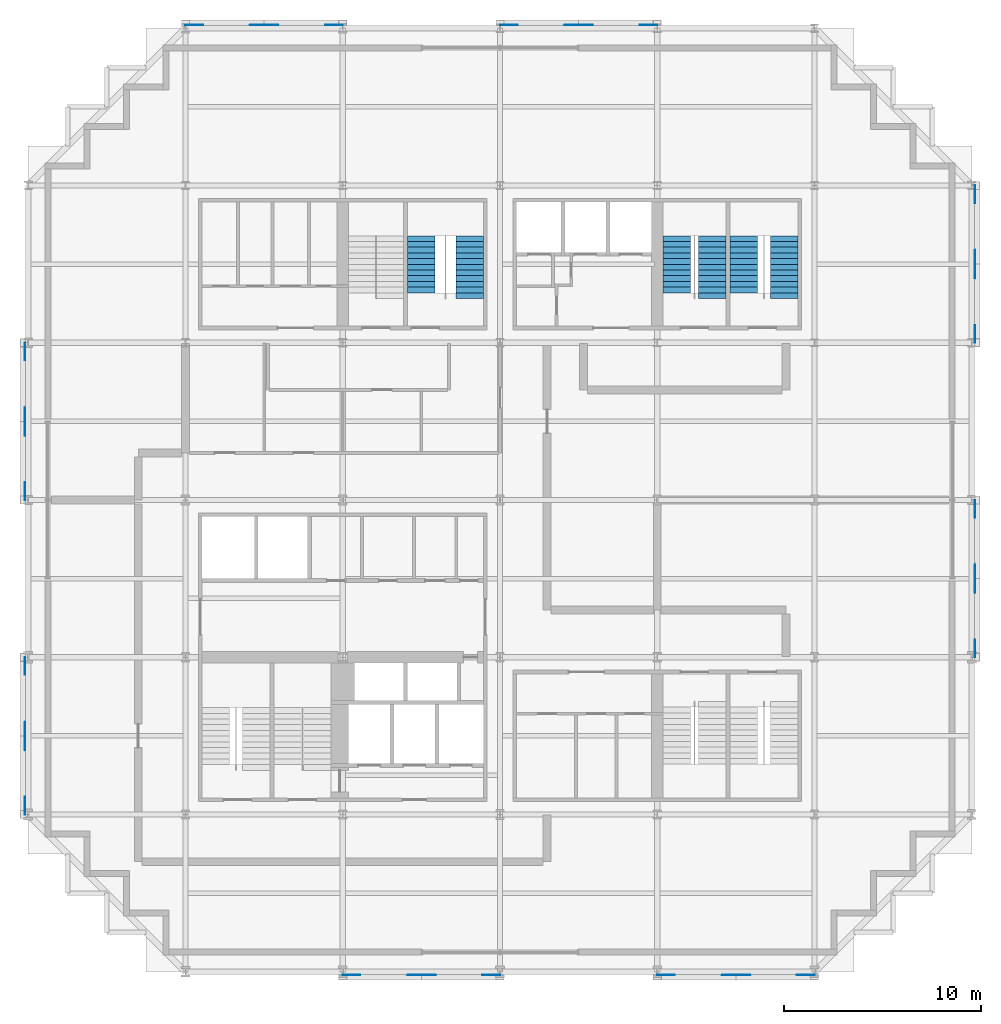
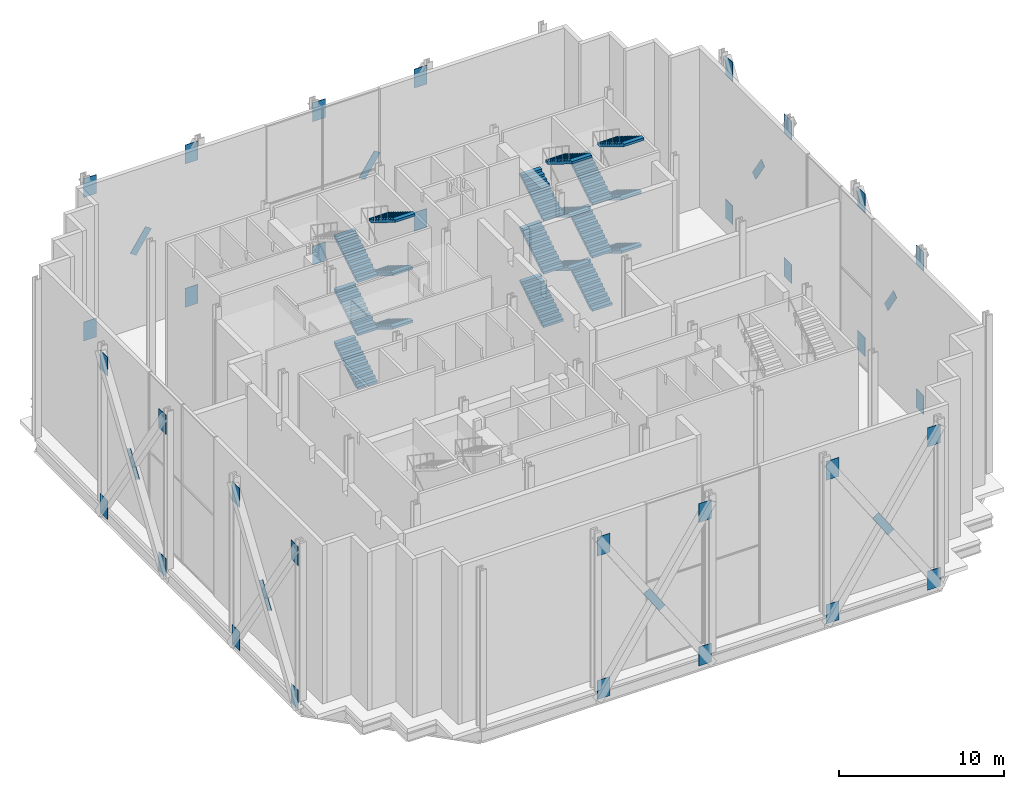
# One storey, part 12 of 14: 40 discrete accessories, 18 stair flights, 3 elements without a shape of their own.
"""IFC4 building model written with IfcOpenShell, lengths in metres."""

from ifc_helpers import new_model, si_unit, direction, frame, origin, origin_2d, place, context, subcontext, project, spatial, polyline, rectangle, outline, extrude, material, material_profile, profile_set, type_object, element, aggregate, save


model = new_model("IFC4")

# Units and contexts
model_context = context("Model", 3, precision=1e-05, world=origin(), true_north=direction((0.0, 1.0)))
body_context = subcontext(model_context, "Body", "Model", "MODEL_VIEW")
ifc_project = project(units=[si_unit("LENGTHUNIT", "METRE"), si_unit("AREAUNIT", "SQUARE_METRE"), si_unit("VOLUMEUNIT", "CUBIC_METRE"), si_unit("PLANEANGLEUNIT", "RADIAN"), si_unit("MASSUNIT", "GRAM", prefix="KILO")], contexts=[model_context])

# Site, building, storey
site_placement = place(None, origin())
site = spatial("IfcSite", under=ifc_project, at=site_placement, CompositionType="ELEMENT")
building_placement = place(site_placement, origin())
building = spatial("IfcBuilding", under=site, at=building_placement, Name="Immortelle Media Tower", CompositionType="ELEMENT")
storey_placement = place(building_placement, frame((0.0, 0.0, 9.0)))
storey = spatial("IfcBuildingStorey", under=building, at=storey_placement, Name="L01", CompositionType="ELEMENT", Elevation=9.0)

# Stair, stair flights
ifc_material_1 = material(Name="Steel ASTM A992 Gr 50", Category="steel")
stair_type = type_object("IfcStairType", Name="Stair with flights", PredefinedType="DOUBLE_RETURN_STAIR", material=ifc_material_1)
stair_1_placement = place(storey_placement, origin())
stair_1 = element("IfcStair", 1, at=stair_1_placement, inside=storey, type_object=stair_type, Name="Exit stair NW2", PredefinedType="DOUBLE_RETURN_STAIR")
stair_flight_type = type_object("IfcStairFlightType", Name="Stair flight 1400", PredefinedType="STRAIGHT", material=ifc_material_1)
stair_flight_1_placement = place(storey_placement, frame((20.0, 34.5400390625, 0.0), z_axis=(0.0, 0.0, 1.0), x_axis=(0.0, 1.0, 0.0)))
stair_flight_1 = element("IfcStairFlight", 2, at=stair_flight_1_placement, type_object=stair_flight_type, Name="ST NW2 flight 1", NumberOfRisers=11, NumberOfTreads=10, PredefinedType="STRAIGHT", RiserHeight=0.179104478, TreadLength=0.29, context=body_context, shape_type="SweptSolid", body=[
    extrude(outline(polyline([(0.0, 0.0), (0.0, 0.17919921875), (0.2900390625, 0.17919921875), (0.2900390625, 0.358154296875), (0.580078125, 0.358154296875), (0.580078125, 0.537353515625), (0.8701171875, 0.537353515625), (0.8701171875, 0.71630859375), (1.159912109375, 0.71630859375), (1.159912109375, 0.8955078125), (1.449951171875, 0.8955078125), (1.449951171875, 1.07470703125), (1.739990234375, 1.07470703125), (1.739990234375, 1.253662109375), (2.030029296875, 1.253662109375), (2.030029296875, 1.432861328125), (2.320068359375, 1.432861328125), (2.320068359375, 1.612060546875), (2.610107421875, 1.612060546875), (2.610107421875, 1.791015625), (2.89990234375, 1.791015625), (2.89990234375, 1.97021484375), (2.89990234375, 1.61474609375), (0.28515625, 0.0), (0.0, 0.0)])), frame((0.0, 0.699951171875, 0.0), z_axis=(0.0, -1.0, 0.0), x_axis=(1.0, 0.0, 0.0)), (0.0, 0.0, 1.0), 1.39990234375),
])
stair_flight_2_placement = place(storey_placement, frame((22.449951171875, 37.43994140625, 1.97021484375), z_axis=(0.0, 0.0, 1.0), x_axis=(0.0, -1.0, 0.0)))
stair_flight_2 = element("IfcStairFlight", 3, at=stair_flight_2_placement, type_object=stair_flight_type, Name="ST NW2 flight 2", NumberOfRisers=11, NumberOfTreads=10, PredefinedType="STRAIGHT", RiserHeight=0.179104478, TreadLength=0.29, context=body_context, shape_type="SweptSolid", body=[
    extrude(outline(polyline([(0.0, 0.0), (0.0, 0.17919921875), (0.2900390625, 0.17919921875), (0.2900390625, 0.358154296875), (0.580078125, 0.358154296875), (0.580078125, 0.537353515625), (0.8701171875, 0.537353515625), (0.8701171875, 0.71630859375), (1.159912109375, 0.71630859375), (1.159912109375, 0.8955078125), (1.449951171875, 0.8955078125), (1.449951171875, 1.07470703125), (1.739990234375, 1.07470703125), (1.739990234375, 1.253662109375), (2.030029296875, 1.253662109375), (2.030029296875, 1.432861328125), (2.320068359375, 1.432861328125), (2.320068359375, 1.612060546875), (2.610107421875, 1.612060546875), (2.610107421875, 1.791015625), (2.89990234375, 1.791015625), (2.89990234375, 1.97021484375), (2.89990234375, 1.61474609375), (0.28515625, 0.0), (0.0, 0.0)])), frame((0.0, 0.699951171875, 0.0), z_axis=(0.0, -1.0, 0.0), x_axis=(1.0, 0.0, 0.0)), (0.0, 0.0, 1.0), 1.39990234375),
])
stair_flight_3_placement = place(storey_placement, frame((20.0, 34.5400390625, 3.940185546875), z_axis=(0.0, 0.0, 1.0), x_axis=(0.0, 1.0, 0.0)))
stair_flight_3 = element("IfcStairFlight", 4, at=stair_flight_3_placement, type_object=stair_flight_type, Name="ST NW2 flight 3", NumberOfRisers=11, NumberOfTreads=10, PredefinedType="STRAIGHT", RiserHeight=0.179104478, TreadLength=0.29, context=body_context, shape_type="SweptSolid", body=[
    extrude(outline(polyline([(0.0, 0.0), (0.0, 0.17919921875), (0.2900390625, 0.17919921875), (0.2900390625, 0.358154296875), (0.580078125, 0.358154296875), (0.580078125, 0.537353515625), (0.8701171875, 0.537353515625), (0.8701171875, 0.71630859375), (1.159912109375, 0.71630859375), (1.159912109375, 0.8955078125), (1.449951171875, 0.8955078125), (1.449951171875, 1.07470703125), (1.739990234375, 1.07470703125), (1.739990234375, 1.253662109375), (2.030029296875, 1.253662109375), (2.030029296875, 1.432861328125), (2.320068359375, 1.432861328125), (2.320068359375, 1.612060546875), (2.610107421875, 1.612060546875), (2.610107421875, 1.791015625), (2.89990234375, 1.791015625), (2.89990234375, 1.97021484375), (2.89990234375, 1.61474609375), (0.28515625, 0.0), (0.0, 0.0)])), frame((0.0, 0.699951171875, 0.0), z_axis=(0.0, -1.0, 0.0), x_axis=(1.0, 0.0, 0.0)), (0.0, 0.0, 1.0), 1.39990234375),
])
stair_flight_4_placement = place(storey_placement, frame((22.449951171875, 37.43994140625, 5.910400390625), z_axis=(0.0, 0.0, 1.0), x_axis=(0.0, -1.0, 0.0)))
stair_flight_4 = element("IfcStairFlight", 5, at=stair_flight_4_placement, type_object=stair_flight_type, Name="ST NW2 flight 4", NumberOfRisers=11, NumberOfTreads=10, PredefinedType="STRAIGHT", RiserHeight=0.179104478, TreadLength=0.29, context=body_context, shape_type="SweptSolid", body=[
    extrude(outline(polyline([(0.0, 0.0), (0.0, 0.17919921875), (0.2900390625, 0.17919921875), (0.2900390625, 0.358154296875), (0.580078125, 0.358154296875), (0.580078125, 0.537353515625), (0.8701171875, 0.537353515625), (0.8701171875, 0.71630859375), (1.159912109375, 0.71630859375), (1.159912109375, 0.8955078125), (1.449951171875, 0.8955078125), (1.449951171875, 1.07470703125), (1.739990234375, 1.07470703125), (1.739990234375, 1.253662109375), (2.030029296875, 1.253662109375), (2.030029296875, 1.432861328125), (2.320068359375, 1.432861328125), (2.320068359375, 1.612060546875), (2.610107421875, 1.612060546875), (2.610107421875, 1.791015625), (2.89990234375, 1.791015625), (2.89990234375, 1.97021484375), (2.89990234375, 1.61474609375), (0.28515625, 0.0), (0.0, 0.0)])), frame((0.0, 0.699951171875, 0.0), z_axis=(0.0, -1.0, 0.0), x_axis=(1.0, 0.0, 0.0)), (0.0, 0.0, 1.0), 1.39990234375),
])
stair_flight_5_placement = place(storey_placement, frame((20.0, 34.5400390625, 7.880615234375), z_axis=(0.0, 0.0, 1.0), x_axis=(0.0, 1.0, 0.0)))
stair_flight_5 = element("IfcStairFlight", 6, at=stair_flight_5_placement, type_object=stair_flight_type, Name="ST NW2 flight 5", NumberOfRisers=11, NumberOfTreads=10, PredefinedType="STRAIGHT", RiserHeight=0.179104478, TreadLength=0.29, context=body_context, shape_type="SweptSolid", body=[
    extrude(outline(polyline([(0.0, 0.0), (0.0, 0.17919921875), (0.2900390625, 0.17919921875), (0.2900390625, 0.358154296875), (0.580078125, 0.358154296875), (0.580078125, 0.537353515625), (0.8701171875, 0.537353515625), (0.8701171875, 0.71630859375), (1.159912109375, 0.71630859375), (1.159912109375, 0.8955078125), (1.449951171875, 0.8955078125), (1.449951171875, 1.07470703125), (1.739990234375, 1.07470703125), (1.739990234375, 1.253662109375), (2.030029296875, 1.253662109375), (2.030029296875, 1.432861328125), (2.320068359375, 1.432861328125), (2.320068359375, 1.612060546875), (2.610107421875, 1.612060546875), (2.610107421875, 1.791015625), (2.89990234375, 1.791015625), (2.89990234375, 1.97021484375), (2.89990234375, 1.61474609375), (0.28515625, 0.0), (0.0, 0.0)])), frame((0.0, 0.699951171875, 0.0), z_axis=(0.0, -1.0, 0.0), x_axis=(1.0, 0.0, 0.0)), (0.0, 0.0, 1.0), 1.39990234375),
])
stair_flight_6_placement = place(storey_placement, frame((22.449951171875, 37.43994140625, 9.850830078125), z_axis=(0.0, 0.0, 1.0), x_axis=(0.0, -1.0, 0.0)))
stair_flight_6 = element("IfcStairFlight", 7, at=stair_flight_6_placement, type_object=stair_flight_type, Name="ST NW2 flight 6", NumberOfRisers=12, NumberOfTreads=11, PredefinedType="STRAIGHT", RiserHeight=0.179104478, TreadLength=0.29, context=body_context, shape_type="SweptSolid", body=[
    extrude(outline(polyline([(0.0, 0.0), (0.0, 0.17919921875), (0.2900390625, 0.17919921875), (0.2900390625, 0.358154296875), (0.580078125, 0.358154296875), (0.580078125, 0.537353515625), (0.8701171875, 0.537353515625), (0.8701171875, 0.71630859375), (1.159912109375, 0.71630859375), (1.159912109375, 0.8955078125), (1.449951171875, 0.8955078125), (1.449951171875, 1.07470703125), (1.739990234375, 1.07470703125), (1.739990234375, 1.253662109375), (2.030029296875, 1.253662109375), (2.030029296875, 1.432861328125), (2.320068359375, 1.432861328125), (2.320068359375, 1.612060546875), (2.610107421875, 1.612060546875), (2.610107421875, 1.791015625), (2.89990234375, 1.791015625), (2.89990234375, 1.97021484375), (3.18994140625, 1.97021484375), (3.18994140625, 2.149169921875), (3.18994140625, 1.7939453125), (0.28515625, 0.0), (0.0, 0.0)])), frame((0.0, 0.699951171875, 0.0), z_axis=(0.0, -1.0, 0.0), x_axis=(1.0, 0.0, 0.0)), (0.0, 0.0, 1.0), 1.39990234375),
])
aggregate(stair_1, [stair_flight_1, stair_flight_2, stair_flight_3, stair_flight_4, stair_flight_5, stair_flight_6])

stair_2_placement = place(storey_placement, origin())
stair_2 = element("IfcStair", 8, at=stair_2_placement, inside=storey, type_object=stair_type, Name="Exit stair NE1", PredefinedType="DOUBLE_RETURN_STAIR")
stair_flight_7_placement = place(storey_placement, frame((33.0, 34.5400390625, 0.0), z_axis=(0.0, 0.0, 1.0), x_axis=(0.0, 1.0, 0.0)))
stair_flight_7 = element("IfcStairFlight", 9, at=stair_flight_7_placement, type_object=stair_flight_type, Name="ST NE1 flight 1", NumberOfRisers=11, NumberOfTreads=10, PredefinedType="STRAIGHT", RiserHeight=0.179104478, TreadLength=0.29, context=body_context, shape_type="SweptSolid", body=[
    extrude(outline(polyline([(0.0, 0.0), (0.0, 0.17919921875), (0.2900390625, 0.17919921875), (0.2900390625, 0.358154296875), (0.580078125, 0.358154296875), (0.580078125, 0.537353515625), (0.8701171875, 0.537353515625), (0.8701171875, 0.71630859375), (1.159912109375, 0.71630859375), (1.159912109375, 0.8955078125), (1.449951171875, 0.8955078125), (1.449951171875, 1.07470703125), (1.739990234375, 1.07470703125), (1.739990234375, 1.253662109375), (2.030029296875, 1.253662109375), (2.030029296875, 1.432861328125), (2.320068359375, 1.432861328125), (2.320068359375, 1.612060546875), (2.610107421875, 1.612060546875), (2.610107421875, 1.791015625), (2.89990234375, 1.791015625), (2.89990234375, 1.97021484375), (2.89990234375, 1.61474609375), (0.28515625, 0.0), (0.0, 0.0)])), frame((0.0, 0.699951171875, 0.0), z_axis=(0.0, -1.0, 0.0), x_axis=(1.0, 0.0, 0.0)), (0.0, 0.0, 1.0), 1.39990234375),
])
stair_flight_8_placement = place(storey_placement, frame((34.800048828125, 37.43994140625, 1.97021484375), z_axis=(0.0, 0.0, 1.0), x_axis=(0.0, -1.0, 0.0)))
stair_flight_8 = element("IfcStairFlight", 10, at=stair_flight_8_placement, type_object=stair_flight_type, Name="ST NE1 flight 2", NumberOfRisers=11, NumberOfTreads=10, PredefinedType="STRAIGHT", RiserHeight=0.179104478, TreadLength=0.29, context=body_context, shape_type="SweptSolid", body=[
    extrude(outline(polyline([(0.0, 0.0), (0.0, 0.17919921875), (0.2900390625, 0.17919921875), (0.2900390625, 0.358154296875), (0.580078125, 0.358154296875), (0.580078125, 0.537353515625), (0.8701171875, 0.537353515625), (0.8701171875, 0.71630859375), (1.159912109375, 0.71630859375), (1.159912109375, 0.8955078125), (1.449951171875, 0.8955078125), (1.449951171875, 1.07470703125), (1.739990234375, 1.07470703125), (1.739990234375, 1.253662109375), (2.030029296875, 1.253662109375), (2.030029296875, 1.432861328125), (2.320068359375, 1.432861328125), (2.320068359375, 1.612060546875), (2.610107421875, 1.612060546875), (2.610107421875, 1.791015625), (2.89990234375, 1.791015625), (2.89990234375, 1.97021484375), (2.89990234375, 1.61474609375), (0.28515625, 0.0), (0.0, 0.0)])), frame((0.0, 0.699951171875, 0.0), z_axis=(0.0, -1.0, 0.0), x_axis=(1.0, 0.0, 0.0)), (0.0, 0.0, 1.0), 1.39990234375),
])
stair_flight_9_placement = place(storey_placement, frame((33.0, 34.5400390625, 3.940185546875), z_axis=(0.0, 0.0, 1.0), x_axis=(0.0, 1.0, 0.0)))
stair_flight_9 = element("IfcStairFlight", 11, at=stair_flight_9_placement, type_object=stair_flight_type, Name="ST NE1 flight 3", NumberOfRisers=11, NumberOfTreads=10, PredefinedType="STRAIGHT", RiserHeight=0.179104478, TreadLength=0.29, context=body_context, shape_type="SweptSolid", body=[
    extrude(outline(polyline([(0.0, 0.0), (0.0, 0.17919921875), (0.2900390625, 0.17919921875), (0.2900390625, 0.358154296875), (0.580078125, 0.358154296875), (0.580078125, 0.537353515625), (0.8701171875, 0.537353515625), (0.8701171875, 0.71630859375), (1.159912109375, 0.71630859375), (1.159912109375, 0.8955078125), (1.449951171875, 0.8955078125), (1.449951171875, 1.07470703125), (1.739990234375, 1.07470703125), (1.739990234375, 1.253662109375), (2.030029296875, 1.253662109375), (2.030029296875, 1.432861328125), (2.320068359375, 1.432861328125), (2.320068359375, 1.612060546875), (2.610107421875, 1.612060546875), (2.610107421875, 1.791015625), (2.89990234375, 1.791015625), (2.89990234375, 1.97021484375), (2.89990234375, 1.61474609375), (0.28515625, 0.0), (0.0, 0.0)])), frame((0.0, 0.699951171875, 0.0), z_axis=(0.0, -1.0, 0.0), x_axis=(1.0, 0.0, 0.0)), (0.0, 0.0, 1.0), 1.39990234375),
])
stair_flight_10_placement = place(storey_placement, frame((34.800048828125, 37.43994140625, 5.910400390625), z_axis=(0.0, 0.0, 1.0), x_axis=(0.0, -1.0, 0.0)))
stair_flight_10 = element("IfcStairFlight", 12, at=stair_flight_10_placement, type_object=stair_flight_type, Name="ST NE1 flight 4", NumberOfRisers=11, NumberOfTreads=10, PredefinedType="STRAIGHT", RiserHeight=0.179104478, TreadLength=0.29, context=body_context, shape_type="SweptSolid", body=[
    extrude(outline(polyline([(0.0, 0.0), (0.0, 0.17919921875), (0.2900390625, 0.17919921875), (0.2900390625, 0.358154296875), (0.580078125, 0.358154296875), (0.580078125, 0.537353515625), (0.8701171875, 0.537353515625), (0.8701171875, 0.71630859375), (1.159912109375, 0.71630859375), (1.159912109375, 0.8955078125), (1.449951171875, 0.8955078125), (1.449951171875, 1.07470703125), (1.739990234375, 1.07470703125), (1.739990234375, 1.253662109375), (2.030029296875, 1.253662109375), (2.030029296875, 1.432861328125), (2.320068359375, 1.432861328125), (2.320068359375, 1.612060546875), (2.610107421875, 1.612060546875), (2.610107421875, 1.791015625), (2.89990234375, 1.791015625), (2.89990234375, 1.97021484375), (2.89990234375, 1.61474609375), (0.28515625, 0.0), (0.0, 0.0)])), frame((0.0, 0.699951171875, 0.0), z_axis=(0.0, -1.0, 0.0), x_axis=(1.0, 0.0, 0.0)), (0.0, 0.0, 1.0), 1.39990234375),
])
stair_flight_11_placement = place(storey_placement, frame((33.0, 34.5400390625, 7.880615234375), z_axis=(0.0, 0.0, 1.0), x_axis=(0.0, 1.0, 0.0)))
stair_flight_11 = element("IfcStairFlight", 13, at=stair_flight_11_placement, type_object=stair_flight_type, Name="ST NE1 flight 5", NumberOfRisers=11, NumberOfTreads=10, PredefinedType="STRAIGHT", RiserHeight=0.179104478, TreadLength=0.29, context=body_context, shape_type="SweptSolid", body=[
    extrude(outline(polyline([(0.0, 0.0), (0.0, 0.17919921875), (0.2900390625, 0.17919921875), (0.2900390625, 0.358154296875), (0.580078125, 0.358154296875), (0.580078125, 0.537353515625), (0.8701171875, 0.537353515625), (0.8701171875, 0.71630859375), (1.159912109375, 0.71630859375), (1.159912109375, 0.8955078125), (1.449951171875, 0.8955078125), (1.449951171875, 1.07470703125), (1.739990234375, 1.07470703125), (1.739990234375, 1.253662109375), (2.030029296875, 1.253662109375), (2.030029296875, 1.432861328125), (2.320068359375, 1.432861328125), (2.320068359375, 1.612060546875), (2.610107421875, 1.612060546875), (2.610107421875, 1.791015625), (2.89990234375, 1.791015625), (2.89990234375, 1.97021484375), (2.89990234375, 1.61474609375), (0.28515625, 0.0), (0.0, 0.0)])), frame((0.0, 0.699951171875, 0.0), z_axis=(0.0, -1.0, 0.0), x_axis=(1.0, 0.0, 0.0)), (0.0, 0.0, 1.0), 1.39990234375),
])
stair_flight_12_placement = place(storey_placement, frame((34.800048828125, 37.43994140625, 9.850830078125), z_axis=(0.0, 0.0, 1.0), x_axis=(0.0, -1.0, 0.0)))
stair_flight_12 = element("IfcStairFlight", 14, at=stair_flight_12_placement, type_object=stair_flight_type, Name="ST NE1 flight 6", NumberOfRisers=12, NumberOfTreads=11, PredefinedType="STRAIGHT", RiserHeight=0.179104478, TreadLength=0.29, context=body_context, shape_type="SweptSolid", body=[
    extrude(outline(polyline([(0.0, 0.0), (0.0, 0.17919921875), (0.2900390625, 0.17919921875), (0.2900390625, 0.358154296875), (0.580078125, 0.358154296875), (0.580078125, 0.537353515625), (0.8701171875, 0.537353515625), (0.8701171875, 0.71630859375), (1.159912109375, 0.71630859375), (1.159912109375, 0.8955078125), (1.449951171875, 0.8955078125), (1.449951171875, 1.07470703125), (1.739990234375, 1.07470703125), (1.739990234375, 1.253662109375), (2.030029296875, 1.253662109375), (2.030029296875, 1.432861328125), (2.320068359375, 1.432861328125), (2.320068359375, 1.612060546875), (2.610107421875, 1.612060546875), (2.610107421875, 1.791015625), (2.89990234375, 1.791015625), (2.89990234375, 1.97021484375), (3.18994140625, 1.97021484375), (3.18994140625, 2.149169921875), (3.18994140625, 1.7939453125), (0.28515625, 0.0), (0.0, 0.0)])), frame((0.0, 0.699951171875, 0.0), z_axis=(0.0, -1.0, 0.0), x_axis=(1.0, 0.0, 0.0)), (0.0, 0.0, 1.0), 1.39990234375),
])
aggregate(stair_2, [stair_flight_7, stair_flight_8, stair_flight_9, stair_flight_10, stair_flight_11, stair_flight_12])

stair_3_placement = place(storey_placement, origin())
stair_3 = element("IfcStair", 15, at=stair_3_placement, inside=storey, type_object=stair_type, Name="Exit stair NE2", PredefinedType="DOUBLE_RETURN_STAIR")
stair_flight_13_placement = place(storey_placement, frame((36.39990234375, 34.5400390625, 0.0), z_axis=(0.0, 0.0, 1.0), x_axis=(0.0, 1.0, 0.0)))
stair_flight_13 = element("IfcStairFlight", 16, at=stair_flight_13_placement, type_object=stair_flight_type, Name="ST NE2 flight 1", NumberOfRisers=11, NumberOfTreads=10, PredefinedType="STRAIGHT", RiserHeight=0.179104478, TreadLength=0.29, context=body_context, shape_type="SweptSolid", body=[
    extrude(outline(polyline([(0.0, 0.0), (0.0, 0.17919921875), (0.2900390625, 0.17919921875), (0.2900390625, 0.358154296875), (0.580078125, 0.358154296875), (0.580078125, 0.537353515625), (0.8701171875, 0.537353515625), (0.8701171875, 0.71630859375), (1.159912109375, 0.71630859375), (1.159912109375, 0.8955078125), (1.449951171875, 0.8955078125), (1.449951171875, 1.07470703125), (1.739990234375, 1.07470703125), (1.739990234375, 1.253662109375), (2.030029296875, 1.253662109375), (2.030029296875, 1.432861328125), (2.320068359375, 1.432861328125), (2.320068359375, 1.612060546875), (2.610107421875, 1.612060546875), (2.610107421875, 1.791015625), (2.89990234375, 1.791015625), (2.89990234375, 1.97021484375), (2.89990234375, 1.61474609375), (0.28515625, 0.0), (0.0, 0.0)])), frame((0.0, 0.699951171875, 0.0), z_axis=(0.0, -1.0, 0.0), x_axis=(1.0, 0.0, 0.0)), (0.0, 0.0, 1.0), 1.39990234375),
])
stair_flight_14_placement = place(storey_placement, frame((38.449951171875, 37.43994140625, 1.97021484375), z_axis=(0.0, 0.0, 1.0), x_axis=(0.0, -1.0, 0.0)))
stair_flight_14 = element("IfcStairFlight", 17, at=stair_flight_14_placement, type_object=stair_flight_type, Name="ST NE2 flight 2", NumberOfRisers=11, NumberOfTreads=10, PredefinedType="STRAIGHT", RiserHeight=0.179104478, TreadLength=0.29, context=body_context, shape_type="SweptSolid", body=[
    extrude(outline(polyline([(0.0, 0.0), (0.0, 0.17919921875), (0.2900390625, 0.17919921875), (0.2900390625, 0.358154296875), (0.580078125, 0.358154296875), (0.580078125, 0.537353515625), (0.8701171875, 0.537353515625), (0.8701171875, 0.71630859375), (1.159912109375, 0.71630859375), (1.159912109375, 0.8955078125), (1.449951171875, 0.8955078125), (1.449951171875, 1.07470703125), (1.739990234375, 1.07470703125), (1.739990234375, 1.253662109375), (2.030029296875, 1.253662109375), (2.030029296875, 1.432861328125), (2.320068359375, 1.432861328125), (2.320068359375, 1.612060546875), (2.610107421875, 1.612060546875), (2.610107421875, 1.791015625), (2.89990234375, 1.791015625), (2.89990234375, 1.97021484375), (2.89990234375, 1.61474609375), (0.28515625, 0.0), (0.0, 0.0)])), frame((0.0, 0.699951171875, 0.0), z_axis=(0.0, -1.0, 0.0), x_axis=(1.0, 0.0, 0.0)), (0.0, 0.0, 1.0), 1.39990234375),
])
stair_flight_15_placement = place(storey_placement, frame((36.39990234375, 34.5400390625, 3.940185546875), z_axis=(0.0, 0.0, 1.0), x_axis=(0.0, 1.0, 0.0)))
stair_flight_15 = element("IfcStairFlight", 18, at=stair_flight_15_placement, type_object=stair_flight_type, Name="ST NE2 flight 3", NumberOfRisers=11, NumberOfTreads=10, PredefinedType="STRAIGHT", RiserHeight=0.179104478, TreadLength=0.29, context=body_context, shape_type="SweptSolid", body=[
    extrude(outline(polyline([(0.0, 0.0), (0.0, 0.17919921875), (0.2900390625, 0.17919921875), (0.2900390625, 0.358154296875), (0.580078125, 0.358154296875), (0.580078125, 0.537353515625), (0.8701171875, 0.537353515625), (0.8701171875, 0.71630859375), (1.159912109375, 0.71630859375), (1.159912109375, 0.8955078125), (1.449951171875, 0.8955078125), (1.449951171875, 1.07470703125), (1.739990234375, 1.07470703125), (1.739990234375, 1.253662109375), (2.030029296875, 1.253662109375), (2.030029296875, 1.432861328125), (2.320068359375, 1.432861328125), (2.320068359375, 1.612060546875), (2.610107421875, 1.612060546875), (2.610107421875, 1.791015625), (2.89990234375, 1.791015625), (2.89990234375, 1.97021484375), (2.89990234375, 1.61474609375), (0.28515625, 0.0), (0.0, 0.0)])), frame((0.0, 0.699951171875, 0.0), z_axis=(0.0, -1.0, 0.0), x_axis=(1.0, 0.0, 0.0)), (0.0, 0.0, 1.0), 1.39990234375),
])
stair_flight_16_placement = place(storey_placement, frame((38.449951171875, 37.43994140625, 5.910400390625), z_axis=(0.0, 0.0, 1.0), x_axis=(0.0, -1.0, 0.0)))
stair_flight_16 = element("IfcStairFlight", 19, at=stair_flight_16_placement, type_object=stair_flight_type, Name="ST NE2 flight 4", NumberOfRisers=11, NumberOfTreads=10, PredefinedType="STRAIGHT", RiserHeight=0.179104478, TreadLength=0.29, context=body_context, shape_type="SweptSolid", body=[
    extrude(outline(polyline([(0.0, 0.0), (0.0, 0.17919921875), (0.2900390625, 0.17919921875), (0.2900390625, 0.358154296875), (0.580078125, 0.358154296875), (0.580078125, 0.537353515625), (0.8701171875, 0.537353515625), (0.8701171875, 0.71630859375), (1.159912109375, 0.71630859375), (1.159912109375, 0.8955078125), (1.449951171875, 0.8955078125), (1.449951171875, 1.07470703125), (1.739990234375, 1.07470703125), (1.739990234375, 1.253662109375), (2.030029296875, 1.253662109375), (2.030029296875, 1.432861328125), (2.320068359375, 1.432861328125), (2.320068359375, 1.612060546875), (2.610107421875, 1.612060546875), (2.610107421875, 1.791015625), (2.89990234375, 1.791015625), (2.89990234375, 1.97021484375), (2.89990234375, 1.61474609375), (0.28515625, 0.0), (0.0, 0.0)])), frame((0.0, 0.699951171875, 0.0), z_axis=(0.0, -1.0, 0.0), x_axis=(1.0, 0.0, 0.0)), (0.0, 0.0, 1.0), 1.39990234375),
])
stair_flight_17_placement = place(storey_placement, frame((36.39990234375, 34.5400390625, 7.880615234375), z_axis=(0.0, 0.0, 1.0), x_axis=(0.0, 1.0, 0.0)))
stair_flight_17 = element("IfcStairFlight", 20, at=stair_flight_17_placement, type_object=stair_flight_type, Name="ST NE2 flight 5", NumberOfRisers=11, NumberOfTreads=10, PredefinedType="STRAIGHT", RiserHeight=0.179104478, TreadLength=0.29, context=body_context, shape_type="SweptSolid", body=[
    extrude(outline(polyline([(0.0, 0.0), (0.0, 0.17919921875), (0.2900390625, 0.17919921875), (0.2900390625, 0.358154296875), (0.580078125, 0.358154296875), (0.580078125, 0.537353515625), (0.8701171875, 0.537353515625), (0.8701171875, 0.71630859375), (1.159912109375, 0.71630859375), (1.159912109375, 0.8955078125), (1.449951171875, 0.8955078125), (1.449951171875, 1.07470703125), (1.739990234375, 1.07470703125), (1.739990234375, 1.253662109375), (2.030029296875, 1.253662109375), (2.030029296875, 1.432861328125), (2.320068359375, 1.432861328125), (2.320068359375, 1.612060546875), (2.610107421875, 1.612060546875), (2.610107421875, 1.791015625), (2.89990234375, 1.791015625), (2.89990234375, 1.97021484375), (2.89990234375, 1.61474609375), (0.28515625, 0.0), (0.0, 0.0)])), frame((0.0, 0.699951171875, 0.0), z_axis=(0.0, -1.0, 0.0), x_axis=(1.0, 0.0, 0.0)), (0.0, 0.0, 1.0), 1.39990234375),
])
stair_flight_18_placement = place(storey_placement, frame((38.449951171875, 37.43994140625, 9.850830078125), z_axis=(0.0, 0.0, 1.0), x_axis=(0.0, -1.0, 0.0)))
stair_flight_18 = element("IfcStairFlight", 21, at=stair_flight_18_placement, type_object=stair_flight_type, Name="ST NE2 flight 6", NumberOfRisers=12, NumberOfTreads=11, PredefinedType="STRAIGHT", RiserHeight=0.179104478, TreadLength=0.29, context=body_context, shape_type="SweptSolid", body=[
    extrude(outline(polyline([(0.0, 0.0), (0.0, 0.17919921875), (0.2900390625, 0.17919921875), (0.2900390625, 0.358154296875), (0.580078125, 0.358154296875), (0.580078125, 0.537353515625), (0.8701171875, 0.537353515625), (0.8701171875, 0.71630859375), (1.159912109375, 0.71630859375), (1.159912109375, 0.8955078125), (1.449951171875, 0.8955078125), (1.449951171875, 1.07470703125), (1.739990234375, 1.07470703125), (1.739990234375, 1.253662109375), (2.030029296875, 1.253662109375), (2.030029296875, 1.432861328125), (2.320068359375, 1.432861328125), (2.320068359375, 1.612060546875), (2.610107421875, 1.612060546875), (2.610107421875, 1.791015625), (2.89990234375, 1.791015625), (2.89990234375, 1.97021484375), (3.18994140625, 1.97021484375), (3.18994140625, 2.149169921875), (3.18994140625, 1.7939453125), (0.28515625, 0.0), (0.0, 0.0)])), frame((0.0, 0.699951171875, 0.0), z_axis=(0.0, -1.0, 0.0), x_axis=(1.0, 0.0, 0.0)), (0.0, 0.0, 1.0), 1.39990234375),
])
aggregate(stair_3, [stair_flight_13, stair_flight_14, stair_flight_15, stair_flight_16, stair_flight_17, stair_flight_18])

# Discrete accessories
ifc_material_2 = material(Name="Steel ASTM A572 Gr 50", Category="steel")
ifc_material_profile_1 = material_profile(ifc_material_2, rectangle(XDim=0.031982421875, YDim=0.508056640625, at=origin_2d()), Name="PL 32 x 508")
ifc_profile_set_1 = profile_set([ifc_material_profile_1], Name="Steel ASTM A572 Gr 50")
discrete_accessory_type_1 = type_object("IfcDiscreteAccessoryType", Name="Crossing plate XP-BR1 1950 x 508 x 32", PredefinedType="USERDEFINED", material=ifc_profile_set_1)
for number, where, z_axis, x_axis, name in (
    (22, (-0.1640625, 28.540771484375, 6.081787109375), (0.0, -0.554642409604, -0.832088815853), (1.0, 0.0, 0.0), "Crossing plate XP-BR1 of Brace 1/D-E A and Brace 1/D-E B"),
    (23, (-0.1640625, 12.540771484375, 6.081787109375), (0.0, -0.554642409604, -0.832088815853), (1.0, 0.0, 0.0), "Crossing plate XP-BR1 of Brace 1/B-C A and Brace 1/B-C B"),
    (24, (48.1640625, 19.459228515625, 6.081787109375), (0.0, 0.554642409604, -0.832088815853), (-1.0, 0.0, 0.0), "Crossing plate XP-BR1 of Brace 7/C-D A and Brace 7/C-D B"),
    (25, (48.1640625, 35.459228515625, 6.081787109375), (0.0, 0.554642409604, -0.832088815853), (-1.0, 0.0, 0.0), "Crossing plate XP-BR1 of Brace 7/E-F A and Brace 7/E-F B"),
    (26, (28.540771484375, 48.1640625, 6.081787109375), (-0.554642409604, 0.0, -0.832088815853), (0.0, -1.0, 0.0), "Crossing plate XP-BR1 of Brace G/4-5 A and Brace G/4-5 B"),
    (27, (12.540771484375, 48.1640625, 6.081787109375), (-0.554642409604, 0.0, -0.832088815853), (0.0, -1.0, 0.0), "Crossing plate XP-BR1 of Brace G/2-3 A and Brace G/2-3 B"),
    (28, (19.459228515625, -0.1640625, 6.081787109375), (0.554642409604, 0.0, -0.832088815853), (0.0, 1.0, 0.0), "Crossing plate XP-BR1 of Brace A/3-4 A and Brace A/3-4 B"),
    (29, (35.459228515625, -0.1640625, 6.081787109375), (0.554642409604, 0.0, -0.832088815853), (0.0, 1.0, 0.0), "Crossing plate XP-BR1 of Brace A/5-6 A and Brace A/5-6 B"),
):
    element("IfcDiscreteAccessory", number, at=place(storey_placement, frame(where, z_axis=z_axis, x_axis=x_axis)), inside=storey, type_object=discrete_accessory_type_1, Name=name, ObjectType="CROSSING PLATE", PredefinedType="USERDEFINED", context=body_context, shape_type="SweptSolid", body=[
        extrude(rectangle(XDim=0.031982421875, YDim=0.508056640625, at=origin_2d()), origin(), (0.0, 0.0, 1.0), 1.949951171875),
    ])
ifc_material_profile_2 = material_profile(ifc_material_2, rectangle(XDim=0.031982421875, YDim=1.39990234375, at=origin_2d()), Name="PL 32 x 1400")
ifc_profile_set_2 = profile_set([ifc_material_profile_2], Name="Steel ASTM A572 Gr 50")
discrete_accessory_type_2 = type_object("IfcDiscreteAccessoryType", Name="Gusset plate GP1 900 x 1400 x 32", PredefinedType="USERDEFINED", material=ifc_profile_set_2)
for number, where, z_axis, x_axis, name in (
    (30, (-0.1640625, 32.0, -0.029541015625), (0.0, -1.0, 0.0), (1.0, 0.0, 0.0), "Gusset plate GP1, lower end of Brace 1/D-E A"),
    (31, (-0.1640625, 24.0, 10.570556640625), (0.0, 1.0, 0.0), (-1.0, 0.0, 0.0), "Gusset plate GP1, upper end of Brace 1/D-E A"),
    (32, (-0.1640625, 24.0, -0.029541015625), (0.0, 1.0, 0.0), (-1.0, 0.0, 0.0), "Gusset plate GP1, lower end of Brace 1/D-E B"),
    (33, (-0.1640625, 32.0, 10.570556640625), (0.0, -1.0, 0.0), (1.0, 0.0, 0.0), "Gusset plate GP1, upper end of Brace 1/D-E B"),
    (34, (-0.1640625, 16.0, -0.029541015625), (0.0, -1.0, 0.0), (1.0, 0.0, 0.0), "Gusset plate GP1, lower end of Brace 1/B-C A"),
    (35, (-0.1640625, 8.0, 10.570556640625), (0.0, 1.0, 0.0), (-1.0, 0.0, 0.0), "Gusset plate GP1, upper end of Brace 1/B-C A"),
    (36, (-0.1640625, 8.0, -0.029541015625), (0.0, 1.0, 0.0), (-1.0, 0.0, 0.0), "Gusset plate GP1, lower end of Brace 1/B-C B"),
    (37, (-0.1640625, 16.0, 10.570556640625), (0.0, -1.0, 0.0), (1.0, 0.0, 0.0), "Gusset plate GP1, upper end of Brace 1/B-C B"),
    (38, (16.0, -0.1640625, -0.029541015625), (1.0, 0.0, 0.0), (0.0, 1.0, 0.0), "Gusset plate GP1, lower end of Brace A/3-4 A"),
    (39, (24.0, -0.1640625, 10.570556640625), (-1.0, 0.0, 0.0), (0.0, -1.0, 0.0), "Gusset plate GP1, upper end of Brace A/3-4 A"),
    (40, (24.0, -0.1640625, -0.029541015625), (-1.0, 0.0, 0.0), (0.0, -1.0, 0.0), "Gusset plate GP1, lower end of Brace A/3-4 B"),
    (41, (16.0, -0.1640625, 10.570556640625), (1.0, 0.0, 0.0), (0.0, 1.0, 0.0), "Gusset plate GP1, upper end of Brace A/3-4 B"),
    (42, (32.0, -0.1640625, -0.029541015625), (1.0, 0.0, 0.0), (0.0, 1.0, 0.0), "Gusset plate GP1, lower end of Brace A/5-6 A"),
    (43, (40.0, -0.1640625, 10.570556640625), (-1.0, 0.0, 0.0), (0.0, -1.0, 0.0), "Gusset plate GP1, upper end of Brace A/5-6 A"),
    (44, (40.0, -0.1640625, -0.029541015625), (-1.0, 0.0, 0.0), (0.0, -1.0, 0.0), "Gusset plate GP1, lower end of Brace A/5-6 B"),
    (45, (32.0, -0.1640625, 10.570556640625), (1.0, 0.0, 0.0), (0.0, 1.0, 0.0), "Gusset plate GP1, upper end of Brace A/5-6 B"),
    (46, (48.1640625, 16.0, -0.029541015625), (0.0, 1.0, 0.0), (-1.0, 0.0, 0.0), "Gusset plate GP1, lower end of Brace 7/C-D A"),
    (47, (48.1640625, 24.0, 10.570556640625), (0.0, -1.0, 0.0), (1.0, 0.0, 0.0), "Gusset plate GP1, upper end of Brace 7/C-D A"),
    (48, (48.1640625, 24.0, -0.029541015625), (0.0, -1.0, 0.0), (1.0, 0.0, 0.0), "Gusset plate GP1, lower end of Brace 7/C-D B"),
    (49, (48.1640625, 16.0, 10.570556640625), (0.0, 1.0, 0.0), (-1.0, 0.0, 0.0), "Gusset plate GP1, upper end of Brace 7/C-D B"),
    (50, (48.1640625, 32.0, -0.029541015625), (0.0, 1.0, 0.0), (-1.0, 0.0, 0.0), "Gusset plate GP1, lower end of Brace 7/E-F A"),
    (51, (48.1640625, 40.0, 10.570556640625), (0.0, -1.0, 0.0), (1.0, 0.0, 0.0), "Gusset plate GP1, upper end of Brace 7/E-F A"),
    (52, (48.1640625, 40.0, -0.029541015625), (0.0, -1.0, 0.0), (1.0, 0.0, 0.0), "Gusset plate GP1, lower end of Brace 7/E-F B"),
    (53, (48.1640625, 32.0, 10.570556640625), (0.0, 1.0, 0.0), (-1.0, 0.0, 0.0), "Gusset plate GP1, upper end of Brace 7/E-F B"),
    (54, (32.0, 48.1640625, -0.029541015625), (-1.0, 0.0, 0.0), (0.0, -1.0, 0.0), "Gusset plate GP1, lower end of Brace G/4-5 A"),
    (55, (24.0, 48.1640625, 10.570556640625), (1.0, 0.0, 0.0), (0.0, 1.0, 0.0), "Gusset plate GP1, upper end of Brace G/4-5 A"),
    (56, (24.0, 48.1640625, -0.029541015625), (1.0, 0.0, 0.0), (0.0, 1.0, 0.0), "Gusset plate GP1, lower end of Brace G/4-5 B"),
    (57, (32.0, 48.1640625, 10.570556640625), (-1.0, 0.0, 0.0), (0.0, -1.0, 0.0), "Gusset plate GP1, upper end of Brace G/4-5 B"),
    (58, (16.0, 48.1640625, -0.029541015625), (-1.0, 0.0, 0.0), (0.0, -1.0, 0.0), "Gusset plate GP1, lower end of Brace G/2-3 A"),
    (59, (8.0, 48.1640625, 10.570556640625), (1.0, 0.0, 0.0), (0.0, 1.0, 0.0), "Gusset plate GP1, upper end of Brace G/2-3 A"),
    (60, (8.0, 48.1640625, -0.029541015625), (1.0, 0.0, 0.0), (0.0, 1.0, 0.0), "Gusset plate GP1, lower end of Brace G/2-3 B"),
    (61, (16.0, 48.1640625, 10.570556640625), (-1.0, 0.0, 0.0), (0.0, -1.0, 0.0), "Gusset plate GP1, upper end of Brace G/2-3 B"),
):
    element("IfcDiscreteAccessory", number, at=place(storey_placement, frame(where, z_axis=z_axis, x_axis=x_axis)), inside=storey, type_object=discrete_accessory_type_2, Name=name, ObjectType="GUSSET PLATE", PredefinedType="USERDEFINED", context=body_context, shape_type="SweptSolid", body=[
        extrude(rectangle(XDim=0.031982421875, YDim=1.39990234375, at=origin_2d()), origin(), (0.0, 0.0, 1.0), 0.89990234375),
    ])

save(model, "model.ifc")
